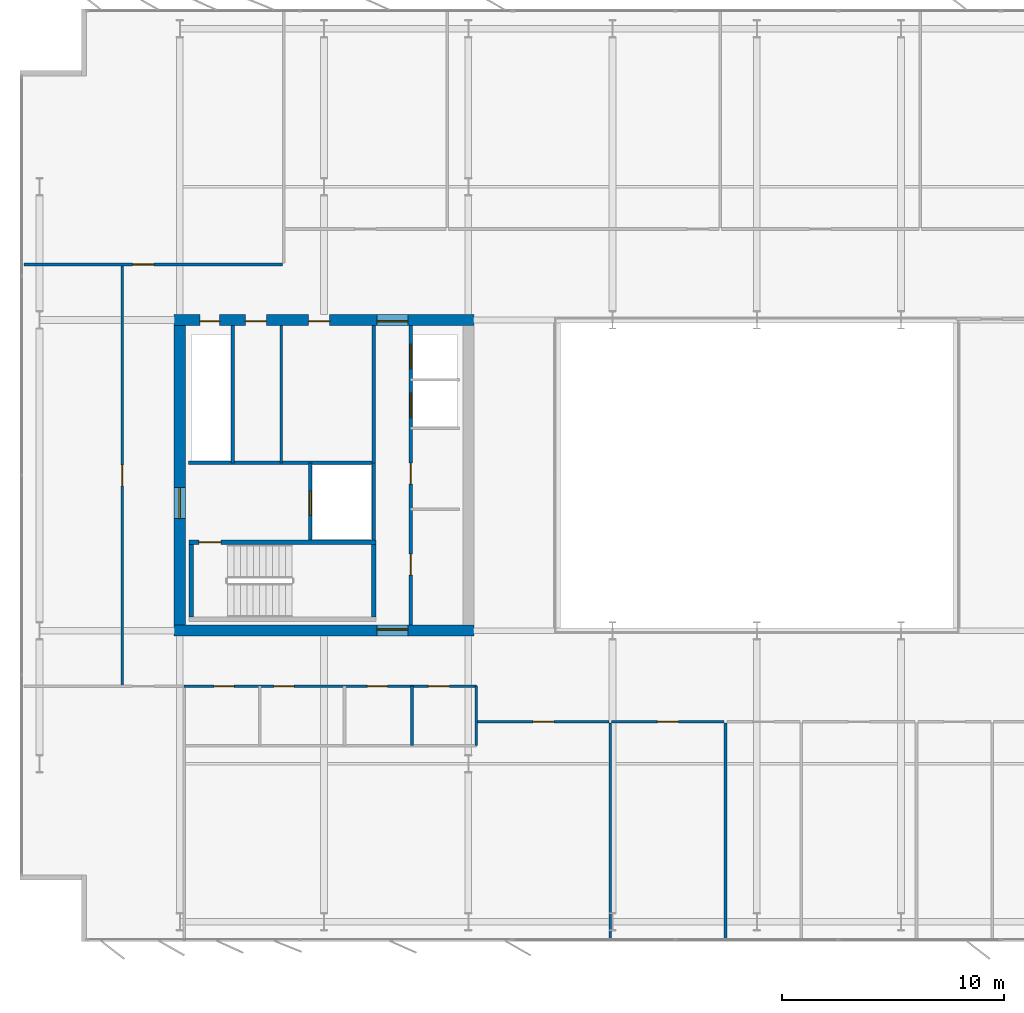
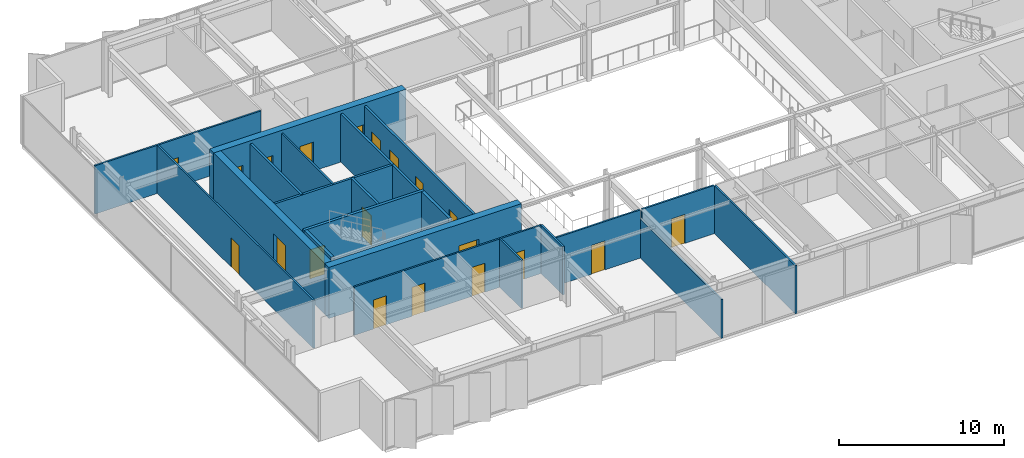
# One storey, part 17 of 24: 22 walls, 20 doors, 20 openings.
"""IFC4 building model written with IfcOpenShell, lengths in metres."""

from ifc_helpers import new_model, si_unit, direction, frame, frame_2d, origin, place, context, subcontext, project, spatial, rectangle, extrude, material, layer, layer_set, type_object, element, fill, save


model = new_model("IFC4")

# Units and contexts
model_context = context("Model", 3, precision=1e-05, world=origin(), true_north=direction((0.0, 1.0)))
body_context = subcontext(model_context, "Body", "Model", "MODEL_VIEW")
ifc_project = project(units=[si_unit("LENGTHUNIT", "METRE"), si_unit("AREAUNIT", "SQUARE_METRE"), si_unit("VOLUMEUNIT", "CUBIC_METRE"), si_unit("PLANEANGLEUNIT", "RADIAN"), si_unit("MASSUNIT", "GRAM", prefix="KILO")], contexts=[model_context])

# Site, building, storey
site_placement = place(None, origin())
site = spatial("IfcSite", under=ifc_project, at=site_placement, CompositionType="ELEMENT")
building_placement = place(site_placement, origin())
building = spatial("IfcBuilding", under=site, at=building_placement, Name="Putna Gate Headquarters", CompositionType="ELEMENT")
storey_placement = place(building_placement, frame((0.0, 0.0, 240.39990234375)))
storey = spatial("IfcBuildingStorey", under=building, at=storey_placement, Name="L60", CompositionType="ELEMENT", Elevation=240.39990234375)

# Wall, opening, door
ifc_material_1 = material(Name="Concrete C50/60", Category="concrete")
ifc_layer_1 = layer(ifc_material_1, 0.5)
ifc_layer_set_1 = layer_set([ifc_layer_1], Name="Concrete C50/60")
wall_type_1 = type_object("IfcWallType", Name="WALL-CORE-500", PredefinedType="SHEAR", material=ifc_layer_set_1)
wall_1_placement = place(storey_placement, frame((12.75, 19.0, 0.0), z_axis=(0.0, 0.0, 1.0), x_axis=(1.0, 0.0, 0.0)))
wall_1 = element("IfcWall", 1, at=wall_1_placement, inside=storey, type_object=wall_type_1, Name="L60 WC Split Core Shear Wall S", PredefinedType="SHEAR", context=body_context, shape_type="SweptSolid", body=[
    extrude(rectangle(XDim=13.5, YDim=0.5, at=frame_2d((6.75, 0.0))), origin(), (0.0, 0.0, 1.0), 3.800048828125),
])
opening_1_placement = place(wall_1_placement, frame((9.1298828125, 0.0, 0.0)))
opening_1 = element("IfcOpeningElement", 2, at=opening_1_placement, cuts=wall_1, Name="Opening FDD-140", PredefinedType="OPENING", context=body_context, shape_type="SweptSolid", body=[
    extrude(rectangle(XDim=1.39990234375, YDim=2.199951171875, at=frame_2d((0.699951171875, 1.10009765625))), frame((0.0, 0.260009765625, 0.0), z_axis=(0.0, -1.0, 0.0), x_axis=(1.0, 0.0, 0.0)), (0.0, 0.0, 1.0), 0.52001953125),
])
ifc_material_2 = material(Name="Double steel fire door", Category="steel")
door_type_1 = type_object("IfcDoorType", Name="DOOR-FIRE-DBL-1400", OperationType="DOUBLE_DOOR_SINGLE_SWING", PredefinedType="DOOR", material=ifc_material_2)
door_1_placement = place(opening_1_placement, origin())
door_1 = element("IfcDoor", 3, at=door_1_placement, inside=storey, type_object=door_type_1, Name="L60 West Lift Lobby South Door", OperationType="DOUBLE_DOOR_SINGLE_SWING", OverallHeight=2.199951171875, OverallWidth=1.39990234375, PredefinedType="DOOR", context=body_context, shape_type="SweptSolid", body=[
    extrude(rectangle(XDim=1.39990234375, YDim=2.199951171875, at=frame_2d((0.699951171875, 1.10009765625))), frame((0.0, 0.0751953125, 0.0), z_axis=(0.0, -1.0, 0.0), x_axis=(1.0, 0.0, 0.0)), (0.0, 0.0, 1.0), 0.050048828125),
])
fill(opening_1, door_1)

# Wall, openings, doors
wall_2_placement = place(storey_placement, frame((12.75, 33.0, 0.0), z_axis=(0.0, 0.0, 1.0), x_axis=(1.0, 0.0, 0.0)))
wall_2 = element("IfcWall", 4, at=wall_2_placement, inside=storey, type_object=wall_type_1, Name="L60 WC Split Core Shear Wall N", PredefinedType="SHEAR", context=body_context, shape_type="SweptSolid", body=[
    extrude(rectangle(XDim=13.5, YDim=0.5, at=frame_2d((6.75, 0.0))), origin(), (0.0, 0.0, 1.0), 3.800048828125),
])
opening_2_placement = place(wall_2_placement, frame((1.14990234375, 0.0, 0.0)))
opening_2 = element("IfcOpeningElement", 5, at=opening_2_placement, cuts=wall_2, Name="Opening RD-90", PredefinedType="OPENING", context=body_context, shape_type="SweptSolid", body=[
    extrude(rectangle(XDim=0.89990234375, YDim=2.14990234375, at=frame_2d((0.449951171875, 1.074951171875))), frame((0.0, 0.260009765625, 0.0), z_axis=(0.0, -1.0, 0.0), x_axis=(1.0, 0.0, 0.0)), (0.0, 0.0, 1.0), 0.52001953125),
])
opening_3_placement = place(wall_2_placement, frame((3.199951171875, 0.0, 0.0)))
opening_3 = element("IfcOpeningElement", 6, at=opening_3_placement, cuts=wall_2, Name="Opening IDS-95", PredefinedType="OPENING", context=body_context, shape_type="SweptSolid", body=[
    extrude(rectangle(XDim=0.949951171875, YDim=2.14990234375, at=frame_2d((0.47509765625, 1.074951171875))), frame((0.0, 0.260009765625, 0.0), z_axis=(0.0, -1.0, 0.0), x_axis=(1.0, 0.0, 0.0)), (0.0, 0.0, 1.0), 0.52001953125),
])
opening_4_placement = place(wall_2_placement, frame((6.050048828125, 0.0, 0.0)))
opening_4 = element("IfcOpeningElement", 7, at=opening_4_placement, cuts=wall_2, Name="Opening IDS-95", PredefinedType="OPENING", context=body_context, shape_type="SweptSolid", body=[
    extrude(rectangle(XDim=0.949951171875, YDim=2.14990234375, at=frame_2d((0.47509765625, 1.074951171875))), frame((0.0, 0.260009765625, 0.0), z_axis=(0.0, -1.0, 0.0), x_axis=(1.0, 0.0, 0.0)), (0.0, 0.0, 1.0), 0.52001953125),
])
opening_5_placement = place(wall_2_placement, frame((9.1298828125, 0.0, 0.0)))
opening_5 = element("IfcOpeningElement", 8, at=opening_5_placement, cuts=wall_2, Name="Opening FDD-140", PredefinedType="OPENING", context=body_context, shape_type="SweptSolid", body=[
    extrude(rectangle(XDim=1.39990234375, YDim=2.199951171875, at=frame_2d((0.699951171875, 1.10009765625))), frame((0.0, 0.260009765625, 0.0), z_axis=(0.0, -1.0, 0.0), x_axis=(1.0, 0.0, 0.0)), (0.0, 0.0, 1.0), 0.52001953125),
])
door_2_placement = place(opening_5_placement, origin())
door_2 = element("IfcDoor", 9, at=door_2_placement, inside=storey, type_object=door_type_1, Name="L60 West Lift Lobby North Door", OperationType="DOUBLE_DOOR_SINGLE_SWING", OverallHeight=2.199951171875, OverallWidth=1.39990234375, PredefinedType="DOOR", context=body_context, shape_type="SweptSolid", body=[
    extrude(rectangle(XDim=1.39990234375, YDim=2.199951171875, at=frame_2d((0.699951171875, 1.10009765625))), frame((0.0, -0.02490234375, 0.0), z_axis=(0.0, -1.0, 0.0), x_axis=(1.0, 0.0, 0.0)), (0.0, 0.0, 1.0), 0.050048828125),
])
fill(opening_5, door_2)
ifc_material_3 = material(Name="Fire-rated service timber door", Category="wood")
door_type_2 = type_object("IfcDoorType", Name="DOOR-INT-950", OperationType="NOTDEFINED", PredefinedType="DOOR", material=ifc_material_3)
door_3_placement = place(opening_3_placement, origin())
door_3 = element("IfcDoor", 10, at=door_3_placement, inside=storey, type_object=door_type_2, Name="L60 Archive Store Door", OperationType="SINGLE_SWING_LEFT", OverallHeight=2.14990234375, OverallWidth=0.949951171875, PredefinedType="DOOR", context=body_context, shape_type="SweptSolid", body=[
    extrude(rectangle(XDim=0.949951171875, YDim=2.14990234375, at=frame_2d((0.47509765625, 1.074951171875))), frame((0.0, -0.02490234375, 0.0), z_axis=(0.0, -1.0, 0.0), x_axis=(1.0, 0.0, 0.0)), (0.0, 0.0, 1.0), 0.050048828125),
])
fill(opening_3, door_3)
door_4_placement = place(opening_4_placement, origin())
door_4 = element("IfcDoor", 11, at=door_4_placement, inside=storey, type_object=door_type_2, Name="L60 Switchgear Plant Door", OperationType="SINGLE_SWING_RIGHT", OverallHeight=2.14990234375, OverallWidth=0.949951171875, PredefinedType="DOOR", context=body_context, shape_type="SweptSolid", body=[
    extrude(rectangle(XDim=0.949951171875, YDim=2.14990234375, at=frame_2d((0.47509765625, 1.074951171875))), frame((0.0, -0.02490234375, 0.0), z_axis=(0.0, -1.0, 0.0), x_axis=(1.0, 0.0, 0.0)), (0.0, 0.0, 1.0), 0.050048828125),
])
fill(opening_4, door_4)
ifc_material_4 = material(Name="Steel riser access fire door", Category="steel")
door_type_3 = type_object("IfcDoorType", Name="DOOR-RISER-900", OperationType="NOTDEFINED", PredefinedType="DOOR", material=ifc_material_4)
door_5_placement = place(opening_2_placement, origin())
door_5 = element("IfcDoor", 12, at=door_5_placement, inside=storey, type_object=door_type_3, Name="L60 West Riser Access Door", OperationType="SINGLE_SWING_RIGHT", OverallHeight=2.14990234375, OverallWidth=0.89990234375, PredefinedType="DOOR", context=body_context, shape_type="SweptSolid", body=[
    extrude(rectangle(XDim=0.89990234375, YDim=2.14990234375, at=frame_2d((0.449951171875, 1.074951171875))), frame((0.0, -0.02490234375, 0.0), z_axis=(0.0, -1.0, 0.0), x_axis=(1.0, 0.0, 0.0)), (0.0, 0.0, 1.0), 0.050048828125),
])
fill(opening_2, door_5)

# Wall, opening, door
wall_3_placement = place(storey_placement, frame((13.0, 19.25, 0.0), z_axis=(0.0, 0.0, 1.0), x_axis=(0.0, 1.0, 0.0)))
wall_3 = element("IfcWall", 13, at=wall_3_placement, inside=storey, type_object=wall_type_1, Name="L60 WC Split Core Shear Wall W", PredefinedType="SHEAR", context=body_context, shape_type="SweptSolid", body=[
    extrude(rectangle(XDim=13.5, YDim=0.5, at=frame_2d((6.75, 0.0))), origin(), (0.0, 0.0, 1.0), 3.800048828125),
])
opening_6_placement = place(wall_3_placement, frame((4.800048828125, 0.0, 0.0)))
opening_6 = element("IfcOpeningElement", 14, at=opening_6_placement, cuts=wall_3, Name="Opening FDD-140", PredefinedType="OPENING", context=body_context, shape_type="SweptSolid", body=[
    extrude(rectangle(XDim=1.39990234375, YDim=2.199951171875, at=frame_2d((0.699951171875, 1.10009765625))), frame((0.0, 0.260009765625, 0.0), z_axis=(0.0, -1.0, 0.0), x_axis=(1.0, 0.0, 0.0)), (0.0, 0.0, 1.0), 0.52001953125),
])
door_6_placement = place(opening_6_placement, origin())
door_6 = element("IfcDoor", 15, at=door_6_placement, inside=storey, type_object=door_type_1, Name="L60 West Firefighting Lobby Door", OperationType="DOUBLE_DOOR_SINGLE_SWING", OverallHeight=2.199951171875, OverallWidth=1.39990234375, PredefinedType="DOOR", context=body_context, shape_type="SweptSolid", body=[
    extrude(rectangle(XDim=1.39990234375, YDim=2.199951171875, at=frame_2d((0.699951171875, 1.10009765625))), frame((0.0, 0.02490234375, 0.0), z_axis=(0.0, -1.0, 0.0), x_axis=(1.0, 0.0, 0.0)), (0.0, 0.0, 1.0), 0.050048828125),
])
fill(opening_6, door_6)

# Walls
ifc_material_5 = material(Name="Acoustic gypsum board on metal stud")
ifc_layer_2 = layer(ifc_material_5, 0.1201171875)
ifc_layer_set_2 = layer_set([ifc_layer_2], Name="Acoustic gypsum board on metal stud")
wall_type_2 = type_object("IfcWallType", Name="WALL-PART-120", PredefinedType="PARTITIONING", material=ifc_layer_set_2)
wall_4_placement = place(storey_placement, frame((32.39990234375, 5.02001953125, 0.0), z_axis=(0.0, 0.0, 1.0), x_axis=(0.0, 1.0, 0.0)))
element("IfcWall", 16, at=wall_4_placement, inside=storey, type_object=wall_type_2, Name="L60 Interior Wall PART-L60-SB-DIV-02", PredefinedType="PARTITIONING", context=body_context, shape_type="SweptSolid", body=[
    extrude(rectangle(XDim=9.820068359375, YDim=0.1201171875, at=frame_2d((4.91015625, 0.0))), origin(), (0.0, 0.0, 1.0), 2.880126953125),
])
wall_5_placement = place(storey_placement, frame((37.58984375, 5.02001953125, 0.0), z_axis=(0.0, 0.0, 1.0), x_axis=(0.0, 1.0, 0.0)))
element("IfcWall", 17, at=wall_5_placement, inside=storey, type_object=wall_type_2, Name="L60 Interior Wall PART-L60-SB-DIV-03", PredefinedType="PARTITIONING", context=body_context, shape_type="SweptSolid", body=[
    extrude(rectangle(XDim=9.820068359375, YDim=0.1201171875, at=frame_2d((4.91015625, 0.0))), origin(), (0.0, 0.0, 1.0), 3.580078125),
])
ifc_material_6 = material(Name="Fire-rated gypsum board on metal stud")
ifc_layer_3 = layer(ifc_material_6, 0.1201171875)
ifc_layer_set_3 = layer_set([ifc_layer_3], Name="Fire-rated gypsum board on metal stud")
wall_type_3 = type_object("IfcWallType", Name="WALL-PART-120-RATED", PredefinedType="PARTITIONING", material=ifc_layer_set_3)
wall_6_placement = place(storey_placement, frame((17.570068359375, 26.56005859375, 0.0), z_axis=(0.0, 0.0, 1.0), x_axis=(0.0, 1.0, 0.0)))
element("IfcWall", 18, at=wall_6_placement, inside=storey, type_object=wall_type_3, Name="L60 Interior Wall CWINT-L60-WC-K1-DIV", PredefinedType="PARTITIONING", context=body_context, shape_type="SweptSolid", body=[
    extrude(rectangle(XDim=6.18994140625, YDim=0.1201171875, at=frame_2d((3.094970703125, 0.0))), origin(), (0.0, 0.0, 1.0), 3.580078125),
])

# Wall, openings, doors
wall_7_placement = place(storey_placement, frame((13.199951171875, 16.5, 0.0), z_axis=(0.0, 0.0, 1.0), x_axis=(1.0, 0.0, 0.0)))
wall_7 = element("IfcWall", 19, at=wall_7_placement, inside=storey, type_object=wall_type_3, Name="L60 Interior Wall PART-L60-SAN-CW", PredefinedType="PARTITIONING", context=body_context, shape_type="SweptSolid", body=[
    extrude(rectangle(XDim=13.16015625, YDim=0.1201171875, at=frame_2d((6.580078125, 0.0))), origin(), (0.0, 0.0, 1.0), 3.580078125),
])
opening_7_placement = place(wall_7_placement, frame((1.35009765625, 0.0, 0.0)))
opening_7 = element("IfcOpeningElement", 20, at=opening_7_placement, cuts=wall_7, Name="Opening FD-90", PredefinedType="OPENING", context=body_context, shape_type="SweptSolid", body=[
    extrude(rectangle(XDim=0.89990234375, YDim=2.14990234375, at=frame_2d((0.449951171875, 1.074951171875))), frame((0.0, 0.070068359375, 0.0), z_axis=(0.0, -1.0, 0.0), x_axis=(1.0, 0.0, 0.0)), (0.0, 0.0, 1.0), 0.14013671875),
])
opening_8_placement = place(wall_7_placement, frame((4.050048828125, 0.0, 0.0)))
opening_8 = element("IfcOpeningElement", 21, at=opening_8_placement, cuts=wall_7, Name="Opening FD-90", PredefinedType="OPENING", context=body_context, shape_type="SweptSolid", body=[
    extrude(rectangle(XDim=0.89990234375, YDim=2.14990234375, at=frame_2d((0.449951171875, 1.074951171875))), frame((0.0, 0.070068359375, 0.0), z_axis=(0.0, -1.0, 0.0), x_axis=(1.0, 0.0, 0.0)), (0.0, 0.0, 1.0), 0.14013671875),
])
opening_9_placement = place(wall_7_placement, frame((8.25, 0.0, 0.0)))
opening_9 = element("IfcOpeningElement", 22, at=opening_9_placement, cuts=wall_7, Name="Opening FD-90", PredefinedType="OPENING", context=body_context, shape_type="SweptSolid", body=[
    extrude(rectangle(XDim=0.89990234375, YDim=2.14990234375, at=frame_2d((0.449951171875, 1.074951171875))), frame((0.0, 0.070068359375, 0.0), z_axis=(0.0, -1.0, 0.0), x_axis=(1.0, 0.0, 0.0)), (0.0, 0.0, 1.0), 0.14013671875),
])
opening_10_placement = place(wall_7_placement, frame((11.0, 0.0, 0.0)))
opening_10 = element("IfcOpeningElement", 23, at=opening_10_placement, cuts=wall_7, Name="Opening FD-95", PredefinedType="OPENING", context=body_context, shape_type="SweptSolid", body=[
    extrude(rectangle(XDim=0.949951171875, YDim=2.14990234375, at=frame_2d((0.47509765625, 1.074951171875))), frame((0.0, 0.070068359375, 0.0), z_axis=(0.0, -1.0, 0.0), x_axis=(1.0, 0.0, 0.0)), (0.0, 0.0, 1.0), 0.14013671875),
])
ifc_material_7 = material(Name="Acoustic washroom fire door")
door_type_4 = type_object("IfcDoorType", Name="DOOR-FIRE-900", OperationType="NOTDEFINED", PredefinedType="DOOR", material=ifc_material_7)
door_7_placement = place(opening_7_placement, origin())
door_7 = element("IfcDoor", 24, at=door_7_placement, inside=storey, type_object=door_type_4, Name="L60 Washroom Male Door", OperationType="SINGLE_SWING_RIGHT", OverallHeight=2.14990234375, OverallWidth=0.89990234375, PredefinedType="DOOR", context=body_context, shape_type="SweptSolid", body=[
    extrude(rectangle(XDim=0.89990234375, YDim=2.14990234375, at=frame_2d((0.449951171875, 1.074951171875))), frame((0.0, 0.02490234375, 0.0), z_axis=(0.0, -1.0, 0.0), x_axis=(1.0, 0.0, 0.0)), (0.0, 0.0, 1.0), 0.050048828125),
])
fill(opening_7, door_7)
door_8_placement = place(opening_8_placement, origin())
door_8 = element("IfcDoor", 25, at=door_8_placement, inside=storey, type_object=door_type_4, Name="L60 Washroom Female Door", OperationType="SINGLE_SWING_LEFT", OverallHeight=2.14990234375, OverallWidth=0.89990234375, PredefinedType="DOOR", context=body_context, shape_type="SweptSolid", body=[
    extrude(rectangle(XDim=0.89990234375, YDim=2.14990234375, at=frame_2d((0.449951171875, 1.074951171875))), frame((0.0, 0.02490234375, 0.0), z_axis=(0.0, -1.0, 0.0), x_axis=(1.0, 0.0, 0.0)), (0.0, 0.0, 1.0), 0.050048828125),
])
fill(opening_8, door_8)
door_9_placement = place(opening_9_placement, origin())
door_9 = element("IfcDoor", 26, at=door_9_placement, inside=storey, type_object=door_type_4, Name="L60 Accessible WC Door", OperationType="SINGLE_SWING_RIGHT", OverallHeight=2.14990234375, OverallWidth=0.89990234375, PredefinedType="DOOR", context=body_context, shape_type="SweptSolid", body=[
    extrude(rectangle(XDim=0.89990234375, YDim=2.14990234375, at=frame_2d((0.449951171875, 1.074951171875))), frame((0.0, 0.02490234375, 0.0), z_axis=(0.0, -1.0, 0.0), x_axis=(1.0, 0.0, 0.0)), (0.0, 0.0, 1.0), 0.050048828125),
])
fill(opening_9, door_9)
ifc_material_8 = material(Name="Acoustic timber fire door", Category="wood")
door_type_5 = type_object("IfcDoorType", Name="DOOR-FIRE-950", OperationType="NOTDEFINED", PredefinedType="DOOR", material=ifc_material_8)
door_10_placement = place(opening_10_placement, origin())
door_10 = element("IfcDoor", 27, at=door_10_placement, inside=storey, type_object=door_type_5, Name="L60 Staff Pantry and Tea Point Door", OperationType="SINGLE_SWING_LEFT", OverallHeight=2.14990234375, OverallWidth=0.949951171875, PredefinedType="DOOR", context=body_context, shape_type="SweptSolid", body=[
    extrude(rectangle(XDim=0.949951171875, YDim=2.14990234375, at=frame_2d((0.47509765625, 1.074951171875))), frame((0.0, 0.02490234375, 0.0), z_axis=(0.0, -1.0, 0.0), x_axis=(1.0, 0.0, 0.0)), (0.0, 0.0, 1.0), 0.050048828125),
])
fill(opening_10, door_10)

# Walls
for number, where, z_axis, x_axis, name in (
    (28, (23.4599609375, 13.820068359375, 0.0), (0.0, 0.0, 1.0), (0.0, 1.0, 0.0), "L60 Interior Wall PART-L60-SAN-DIV-3"),
    (29, (26.360107421875, 13.820068359375, 0.0), (0.0, 0.0, 1.0), (0.0, 1.0, 0.0), "L60 Interior Wall PART-L60-SAN-DIV-4"),
):
    element("IfcWall", number, at=place(storey_placement, frame(where, z_axis=z_axis, x_axis=x_axis)), inside=storey, type_object=wall_type_3, Name=name, PredefinedType="PARTITIONING", context=body_context, shape_type="SweptSolid", body=[
        extrude(rectangle(XDim=2.679931640625, YDim=0.1201171875, at=frame_2d((1.33984375, 0.0))), origin(), (0.0, 0.0, 1.0), 3.580078125),
    ])

# Wall, opening, door
wall_8_placement = place(storey_placement, frame((5.97998046875, 35.5, 0.0), z_axis=(0.0, 0.0, 1.0), x_axis=(1.0, 0.0, 0.0)))
wall_8 = element("IfcWall", 30, at=wall_8_placement, inside=storey, type_object=wall_type_3, Name="L60 Interior Wall PART-L60-NB-CW-01", PredefinedType="PARTITIONING", context=body_context, shape_type="SweptSolid", body=[
    extrude(rectangle(XDim=11.642333984375, YDim=0.1201171875, at=frame_2d((5.8212890625, 0.0))), origin(), (0.0, 0.0, 1.0), 3.580078125),
])
opening_11_placement = place(wall_8_placement, frame((4.89990234375, 0.0, 0.0)))
opening_11 = element("IfcOpeningElement", 31, at=opening_11_placement, cuts=wall_8, Name="Opening FD-95", PredefinedType="OPENING", context=body_context, shape_type="SweptSolid", body=[
    extrude(rectangle(XDim=0.949951171875, YDim=2.14990234375, at=frame_2d((0.47509765625, 1.074951171875))), frame((0.0, 0.070068359375, 0.0), z_axis=(0.0, -1.0, 0.0), x_axis=(1.0, 0.0, 0.0)), (0.0, 0.0, 1.0), 0.14013671875),
])
door_11_placement = place(opening_11_placement, origin())
door_11 = element("IfcDoor", 32, at=door_11_placement, inside=storey, type_object=door_type_5, Name="L60 Cellular Office 7 Door", OperationType="SINGLE_SWING_RIGHT", OverallHeight=2.14990234375, OverallWidth=0.949951171875, PredefinedType="DOOR", context=body_context, shape_type="SweptSolid", body=[
    extrude(rectangle(XDim=0.949951171875, YDim=2.14990234375, at=frame_2d((0.47509765625, 1.074951171875))), frame((0.0, 0.02490234375, 0.0), z_axis=(0.0, -1.0, 0.0), x_axis=(1.0, 0.0, 0.0)), (0.0, 0.0, 1.0), 0.050048828125),
])
fill(opening_11, door_11)

wall_9_placement = place(storey_placement, frame((26.419921875, 14.89990234375, 0.0), z_axis=(0.0, 0.0, 1.0), x_axis=(1.0, 0.0, 0.0)))
wall_9 = element("IfcWall", 33, at=wall_9_placement, inside=storey, type_object=wall_type_3, Name="L60 Interior Wall PART-L60-SB-CW-02", PredefinedType="PARTITIONING", context=body_context, shape_type="SweptSolid", body=[
    extrude(rectangle(XDim=5.920166015625, YDim=0.1201171875, at=frame_2d((2.9599609375, 0.0))), origin(), (0.0, 0.0, 1.0), 3.580078125),
])
opening_12_placement = place(wall_9_placement, frame((2.485107421875, 0.0, 0.0)))
opening_12 = element("IfcOpeningElement", 34, at=opening_12_placement, cuts=wall_9, Name="Opening FD-95", PredefinedType="OPENING", context=body_context, shape_type="SweptSolid", body=[
    extrude(rectangle(XDim=0.949951171875, YDim=2.14990234375, at=frame_2d((0.47509765625, 1.074951171875))), frame((0.0, 0.070068359375, 0.0), z_axis=(0.0, -1.0, 0.0), x_axis=(1.0, 0.0, 0.0)), (0.0, 0.0, 1.0), 0.14013671875),
])
door_12_placement = place(opening_12_placement, origin())
door_12 = element("IfcDoor", 35, at=door_12_placement, inside=storey, type_object=door_type_5, Name="L60 Primary Open Office Workplace Door", OperationType="SINGLE_SWING_LEFT", OverallHeight=2.14990234375, OverallWidth=0.949951171875, PredefinedType="DOOR", context=body_context, shape_type="SweptSolid", body=[
    extrude(rectangle(XDim=0.949951171875, YDim=2.14990234375, at=frame_2d((0.47509765625, 1.074951171875))), frame((0.0, 0.02490234375, 0.0), z_axis=(0.0, -1.0, 0.0), x_axis=(1.0, 0.0, 0.0)), (0.0, 0.0, 1.0), 0.050048828125),
])
fill(opening_12, door_12)

wall_10_placement = place(storey_placement, frame((32.4599609375, 14.89990234375, 0.0), z_axis=(0.0, 0.0, 1.0), x_axis=(1.0, 0.0, 0.0)))
wall_10 = element("IfcWall", 36, at=wall_10_placement, inside=storey, type_object=wall_type_3, Name="L60 Interior Wall PART-L60-SB-CW-03", PredefinedType="PARTITIONING", context=body_context, shape_type="SweptSolid", body=[
    extrude(rectangle(XDim=5.06982421875, YDim=0.1201171875, at=frame_2d((2.534912109375, 0.0))), origin(), (0.0, 0.0, 1.0), 3.580078125),
])
opening_13_placement = place(wall_10_placement, frame((2.059814453125, 0.0, 0.0)))
opening_13 = element("IfcOpeningElement", 37, at=opening_13_placement, cuts=wall_10, Name="Opening FD-95", PredefinedType="OPENING", context=body_context, shape_type="SweptSolid", body=[
    extrude(rectangle(XDim=0.949951171875, YDim=2.14990234375, at=frame_2d((0.47509765625, 1.074951171875))), frame((0.0, 0.070068359375, 0.0), z_axis=(0.0, -1.0, 0.0), x_axis=(1.0, 0.0, 0.0)), (0.0, 0.0, 1.0), 0.14013671875),
])
door_13_placement = place(opening_13_placement, origin())
door_13 = element("IfcDoor", 38, at=door_13_placement, inside=storey, type_object=door_type_5, Name="L60 Quiet Wellness Focus Studio 1 Door", OperationType="SINGLE_SWING_RIGHT", OverallHeight=2.14990234375, OverallWidth=0.949951171875, PredefinedType="DOOR", context=body_context, shape_type="SweptSolid", body=[
    extrude(rectangle(XDim=0.949951171875, YDim=2.14990234375, at=frame_2d((0.47509765625, 1.074951171875))), frame((0.0, 0.02490234375, 0.0), z_axis=(0.0, -1.0, 0.0), x_axis=(1.0, 0.0, 0.0)), (0.0, 0.0, 1.0), 0.050048828125),
])
fill(opening_13, door_13)

wall_11_placement = place(storey_placement, frame((10.39990234375, 16.5, 0.0), z_axis=(0.0, 0.0, 1.0), x_axis=(0.0, 1.0, 0.0)))
wall_11 = element("IfcWall", 39, at=wall_11_placement, inside=storey, type_object=wall_type_3, Name="L60 Interior Wall PART-L60-WW-CW-1", PredefinedType="PARTITIONING", context=body_context, shape_type="SweptSolid", body=[
    extrude(rectangle(XDim=19.0, YDim=0.1201171875, at=frame_2d((9.5, 0.0))), origin(), (0.0, 0.0, 1.0), 3.580078125),
])
opening_14_placement = place(wall_11_placement, frame((9.02490234375, 0.0, 0.0)))
opening_14 = element("IfcOpeningElement", 40, at=opening_14_placement, cuts=wall_11, Name="Opening FD-95", PredefinedType="OPENING", context=body_context, shape_type="SweptSolid", body=[
    extrude(rectangle(XDim=0.949951171875, YDim=2.14990234375, at=frame_2d((0.47509765625, 1.074951171875))), frame((0.0, 0.070068359375, 0.0), z_axis=(0.0, -1.0, 0.0), x_axis=(1.0, 0.0, 0.0)), (0.0, 0.0, 1.0), 0.14013671875),
])
door_14_placement = place(opening_14_placement, origin())
door_14 = element("IfcDoor", 41, at=door_14_placement, inside=storey, type_object=door_type_5, Name="L60 West Project Meeting Room 1 Door", OperationType="SINGLE_SWING_LEFT", OverallHeight=2.14990234375, OverallWidth=0.949951171875, PredefinedType="DOOR", context=body_context, shape_type="SweptSolid", body=[
    extrude(rectangle(XDim=0.949951171875, YDim=2.14990234375, at=frame_2d((0.47509765625, 1.074951171875))), frame((0.0, 0.02490234375, 0.0), z_axis=(0.0, -1.0, 0.0), x_axis=(1.0, 0.0, 0.0)), (0.0, 0.0, 1.0), 0.050048828125),
])
fill(opening_14, door_14)

# Wall
ifc_material_9 = material(Name="Concrete C40/50", Category="concrete")
ifc_layer_4 = layer(ifc_material_9, 0.159912109375)
ifc_layer_set_4 = layer_set([ifc_layer_4], Name="Concrete C40/50")
wall_type_4 = type_object("IfcWallType", Name="WALL-SHAFT-160", PredefinedType="STANDARD", material=ifc_layer_set_4)
wall_12_placement = place(storey_placement, frame((21.739990234375, 23.090087890625, 0.0), z_axis=(0.0, 0.0, 1.0), x_axis=(0.0, 1.0, 0.0)))
element("IfcWall", 42, at=wall_12_placement, inside=storey, type_object=wall_type_4, Name="L60 Interior Wall CWINT-L60-WC-FFL-E", PredefinedType="STANDARD", context=body_context, shape_type="SweptSolid", body=[
    extrude(rectangle(XDim=3.469970703125, YDim=0.159912109375, at=frame_2d((1.73486328125, 0.0))), origin(), (0.0, 0.0, 1.0), 3.580078125),
])

# Wall, opening, door
wall_13_placement = place(storey_placement, frame((18.8798828125, 23.090087890625, 0.0), z_axis=(0.0, 0.0, 1.0), x_axis=(0.0, 1.0, 0.0)))
wall_13 = element("IfcWall", 43, at=wall_13_placement, inside=storey, type_object=wall_type_4, Name="L60 Interior Wall CWINT-L60-WC-LF13-W", PredefinedType="STANDARD", context=body_context, shape_type="SweptSolid", body=[
    extrude(rectangle(XDim=3.469970703125, YDim=0.159912109375, at=frame_2d((1.73486328125, 0.0))), origin(), (0.0, 0.0, 1.0), 3.580078125),
])
opening_15_placement = place(wall_13_placement, frame((1.10009765625, 0.0, 0.0)))
opening_15 = element("IfcOpeningElement", 44, at=opening_15_placement, cuts=wall_13, Name="Opening LD-1", PredefinedType="OPENING", context=body_context, shape_type="SweptSolid", body=[
    extrude(rectangle(XDim=1.10009765625, YDim=2.199951171875, at=frame_2d((0.550048828125, 1.10009765625))), frame((0.0, 0.08984375, 0.0), z_axis=(0.0, -1.0, 0.0), x_axis=(1.0, 0.0, 0.0)), (0.0, 0.0, 1.0), 0.179931640625),
])
ifc_material_10 = material(Name="Brushed bronze stainless lift landing door")
door_type_6 = type_object("IfcDoorType", Name="DOOR-LIFT-1100", OperationType="DOUBLE_DOOR_SLIDING", PredefinedType="DOOR", material=ifc_material_10)
door_15_placement = place(opening_15_placement, origin())
door_15 = element("IfcDoor", 45, at=door_15_placement, inside=storey, type_object=door_type_6, Name="L60 Lift Landing Door LD-13", OperationType="DOUBLE_DOOR_SLIDING", OverallHeight=2.199951171875, OverallWidth=1.10009765625, PredefinedType="DOOR", context=body_context, shape_type="SweptSolid", body=[
    extrude(rectangle(XDim=1.10009765625, YDim=2.199951171875, at=frame_2d((0.550048828125, 1.10009765625))), frame((0.0, 0.02490234375, 0.0), z_axis=(0.0, -1.0, 0.0), x_axis=(1.0, 0.0, 0.0)), (0.0, 0.0, 1.0), 0.050048828125),
])
fill(opening_15, door_15)

# Walls
wall_14_placement = place(storey_placement, frame((13.39990234375, 26.56005859375, 0.0), z_axis=(0.0, 0.0, 1.0), x_axis=(1.0, 0.0, 0.0)))
element("IfcWall", 46, at=wall_14_placement, inside=storey, type_object=wall_type_4, Name="L60 Interior Wall CWINT-L60-WC-FFL-N", PredefinedType="STANDARD", context=body_context, shape_type="SweptSolid", body=[
    extrude(rectangle(XDim=8.340087890625, YDim=0.159912109375, at=frame_2d((4.169921875, 0.0))), origin(), (0.0, 0.0, 1.0), 3.580078125),
])
for number, where, z_axis, x_axis, name in (
    (47, (15.3798828125, 26.56005859375, 0.0), (0.0, 0.0, 1.0), (0.0, 1.0, 0.0), "L60 Interior Wall CWINT-L60-WC-RISER-E"),
    (48, (21.739990234375, 26.56005859375, 0.0), (0.0, 0.0, 1.0), (0.0, 1.0, 0.0), "L60 Interior Wall CWINT-L60-WC-LOB-W"),
):
    element("IfcWall", number, at=place(storey_placement, frame(where, z_axis=z_axis, x_axis=x_axis)), inside=storey, type_object=wall_type_4, Name=name, PredefinedType="STANDARD", context=body_context, shape_type="SweptSolid", body=[
        extrude(rectangle(XDim=6.18994140625, YDim=0.159912109375, at=frame_2d((3.094970703125, 0.0))), origin(), (0.0, 0.0, 1.0), 3.580078125),
    ])

# Wall, openings, doors
wall_15_placement = place(storey_placement, frame((23.39990234375, 19.25, 0.0), z_axis=(0.0, 0.0, 1.0), x_axis=(0.0, 1.0, 0.0)))
wall_15 = element("IfcWall", 49, at=wall_15_placement, inside=storey, type_object=wall_type_4, Name="L60 Interior Wall CWINT-L60-WC-PL-WALL", PredefinedType="STANDARD", context=body_context, shape_type="SweptSolid", body=[
    extrude(rectangle(XDim=13.5, YDim=0.159912109375, at=frame_2d((6.75, 0.0))), origin(), (0.0, 0.0, 1.0), 3.580078125),
])
opening_16_placement = place(wall_15_placement, frame((2.25, 0.0, 0.0)))
opening_16 = element("IfcOpeningElement", 50, at=opening_16_placement, cuts=wall_15, Name="Opening IDS-95", PredefinedType="OPENING", context=body_context, shape_type="SweptSolid", body=[
    extrude(rectangle(XDim=0.949951171875, YDim=2.14990234375, at=frame_2d((0.47509765625, 1.074951171875))), frame((0.0, 0.08984375, 0.0), z_axis=(0.0, -1.0, 0.0), x_axis=(1.0, 0.0, 0.0)), (0.0, 0.0, 1.0), 0.179931640625),
])
opening_17_placement = place(wall_15_placement, frame((6.35009765625, 0.0, 0.0)))
opening_17 = element("IfcOpeningElement", 51, at=opening_17_placement, cuts=wall_15, Name="Opening IDS-95", PredefinedType="OPENING", context=body_context, shape_type="SweptSolid", body=[
    extrude(rectangle(XDim=0.949951171875, YDim=2.14990234375, at=frame_2d((0.47509765625, 1.074951171875))), frame((0.0, 0.08984375, 0.0), z_axis=(0.0, -1.0, 0.0), x_axis=(1.0, 0.0, 0.0)), (0.0, 0.0, 1.0), 0.179931640625),
])
opening_18_placement = place(wall_15_placement, frame((9.35009765625, 0.0, 0.0)))
opening_18 = element("IfcOpeningElement", 52, at=opening_18_placement, cuts=wall_15, Name="Opening LD-1", PredefinedType="OPENING", context=body_context, shape_type="SweptSolid", body=[
    extrude(rectangle(XDim=1.10009765625, YDim=2.199951171875, at=frame_2d((0.550048828125, 1.10009765625))), frame((0.0, 0.08984375, 0.0), z_axis=(0.0, -1.0, 0.0), x_axis=(1.0, 0.0, 0.0)), (0.0, 0.0, 1.0), 0.179931640625),
])
opening_19_placement = place(wall_15_placement, frame((11.550048828125, 0.0, 0.0)))
opening_19 = element("IfcOpeningElement", 53, at=opening_19_placement, cuts=wall_15, Name="Opening LD-1", PredefinedType="OPENING", context=body_context, shape_type="SweptSolid", body=[
    extrude(rectangle(XDim=1.10009765625, YDim=2.199951171875, at=frame_2d((0.550048828125, 1.10009765625))), frame((0.0, 0.08984375, 0.0), z_axis=(0.0, -1.0, 0.0), x_axis=(1.0, 0.0, 0.0)), (0.0, 0.0, 1.0), 0.179931640625),
])
door_16_placement = place(opening_16_placement, origin())
door_16 = element("IfcDoor", 54, at=door_16_placement, inside=storey, type_object=door_type_2, Name="L60 Tenant IT Hub Door", OperationType="SINGLE_SWING_LEFT", OverallHeight=2.14990234375, OverallWidth=0.949951171875, PredefinedType="DOOR", context=body_context, shape_type="SweptSolid", body=[
    extrude(rectangle(XDim=0.949951171875, YDim=2.14990234375, at=frame_2d((0.47509765625, 1.074951171875))), frame((0.0, 0.02490234375, 0.0), z_axis=(0.0, -1.0, 0.0), x_axis=(1.0, 0.0, 0.0)), (0.0, 0.0, 1.0), 0.050048828125),
])
fill(opening_16, door_16)
door_17_placement = place(opening_17_placement, origin())
door_17 = element("IfcDoor", 55, at=door_17_placement, inside=storey, type_object=door_type_2, Name="L60 Records Vault Door", OperationType="SINGLE_SWING_RIGHT", OverallHeight=2.14990234375, OverallWidth=0.949951171875, PredefinedType="DOOR", context=body_context, shape_type="SweptSolid", body=[
    extrude(rectangle(XDim=0.949951171875, YDim=2.14990234375, at=frame_2d((0.47509765625, 1.074951171875))), frame((0.0, 0.02490234375, 0.0), z_axis=(0.0, -1.0, 0.0), x_axis=(1.0, 0.0, 0.0)), (0.0, 0.0, 1.0), 0.050048828125),
])
fill(opening_17, door_17)
door_18_placement = place(opening_18_placement, origin())
door_18 = element("IfcDoor", 56, at=door_18_placement, inside=storey, type_object=door_type_6, Name="L60 Lift Landing Door LD-09", OperationType="DOUBLE_DOOR_SLIDING", OverallHeight=2.199951171875, OverallWidth=1.10009765625, PredefinedType="DOOR", context=body_context, shape_type="SweptSolid", body=[
    extrude(rectangle(XDim=1.10009765625, YDim=2.199951171875, at=frame_2d((0.550048828125, 1.10009765625))), frame((0.0, 0.02490234375, 0.0), z_axis=(0.0, -1.0, 0.0), x_axis=(1.0, 0.0, 0.0)), (0.0, 0.0, 1.0), 0.050048828125),
])
fill(opening_18, door_18)
door_19_placement = place(opening_19_placement, origin())
door_19 = element("IfcDoor", 57, at=door_19_placement, inside=storey, type_object=door_type_6, Name="L60 Lift Landing Door LD-10", OperationType="DOUBLE_DOOR_SLIDING", OverallHeight=2.199951171875, OverallWidth=1.10009765625, PredefinedType="DOOR", context=body_context, shape_type="SweptSolid", body=[
    extrude(rectangle(XDim=1.10009765625, YDim=2.199951171875, at=frame_2d((0.550048828125, 1.10009765625))), frame((0.0, 0.02490234375, 0.0), z_axis=(0.0, -1.0, 0.0), x_axis=(1.0, 0.0, 0.0)), (0.0, 0.0, 1.0), 0.050048828125),
])
fill(opening_19, door_19)

# Wall, opening, door
ifc_layer_5 = layer(ifc_material_9, 0.199951171875)
ifc_layer_set_5 = layer_set([ifc_layer_5], Name="Concrete C40/50")
wall_type_5 = type_object("IfcWallType", Name="WALL-SHAFT-RC200", PredefinedType="SHEAR", material=ifc_layer_set_5)
wall_16_placement = place(storey_placement, frame((13.409912109375, 22.989990234375, 0.0), z_axis=(0.0, 0.0, 1.0), x_axis=(1.0, 0.0, 0.0)))
wall_16 = element("IfcWall", 58, at=wall_16_placement, inside=storey, type_object=wall_type_5, Name="L60 Stair ST1 Structural Shaft Wall N", PredefinedType="SHEAR", context=body_context, shape_type="SweptSolid", body=[
    extrude(rectangle(XDim=8.43017578125, YDim=0.199951171875, at=frame_2d((4.215087890625, 0.0))), origin(), (0.0, 0.0, 1.0), 3.800048828125),
])
opening_20_placement = place(wall_16_placement, frame((0.449951171875, 0.0, 0.0)))
opening_20 = element("IfcOpeningElement", 59, at=opening_20_placement, cuts=wall_16, Name="Opening FD-100", PredefinedType="OPENING", context=body_context, shape_type="SweptSolid", body=[
    extrude(rectangle(XDim=1.0, YDim=2.14990234375, at=frame_2d((0.5, 1.074951171875))), frame((0.0, 0.10986328125, 0.0), z_axis=(0.0, -1.0, 0.0), x_axis=(1.0, 0.0, 0.0)), (0.0, 0.0, 1.0), 0.219970703125),
])
ifc_material_11 = material(Name="Powder-coated steel fire door", Category="steel")
door_type_7 = type_object("IfcDoorType", Name="DOOR-FIRE-1000", OperationType="NOTDEFINED", PredefinedType="DOOR", material=ifc_material_11)
door_20_placement = place(opening_20_placement, origin())
door_20 = element("IfcDoor", 60, at=door_20_placement, inside=storey, type_object=door_type_7, Name="L60 Stair ST1 Fire Door", OperationType="SINGLE_SWING_LEFT", OverallHeight=2.14990234375, OverallWidth=1.0, PredefinedType="DOOR", context=body_context, shape_type="SweptSolid", body=[
    extrude(rectangle(XDim=1.0, YDim=2.14990234375, at=frame_2d((0.5, 1.074951171875))), frame((0.0, 0.02490234375, 0.0), z_axis=(0.0, -1.0, 0.0), x_axis=(1.0, 0.0, 0.0)), (0.0, 0.0, 1.0), 0.050048828125),
])
fill(opening_20, door_20)

# Walls
for number, where, z_axis, x_axis, name in (
    (61, (13.510009765625, 19.610107421875, 0.0), (0.0, 0.0, 1.0), (0.0, 1.0, 0.0), "L60 Stair ST1 Structural Shaft Wall W"),
    (62, (21.739990234375, 19.610107421875, 0.0), (0.0, 0.0, 1.0), (0.0, 1.0, 0.0), "L60 Stair ST1 Structural Shaft Wall E"),
):
    element("IfcWall", number, at=place(storey_placement, frame(where, z_axis=z_axis, x_axis=x_axis)), inside=storey, type_object=wall_type_5, Name=name, PredefinedType="SHEAR", context=body_context, shape_type="SweptSolid", body=[
        extrude(rectangle(XDim=3.27978515625, YDim=0.199951171875, at=frame_2d((1.639892578125, 0.0))), origin(), (0.0, 0.0, 1.0), 3.800048828125),
    ])

save(model, "model.ifc")
